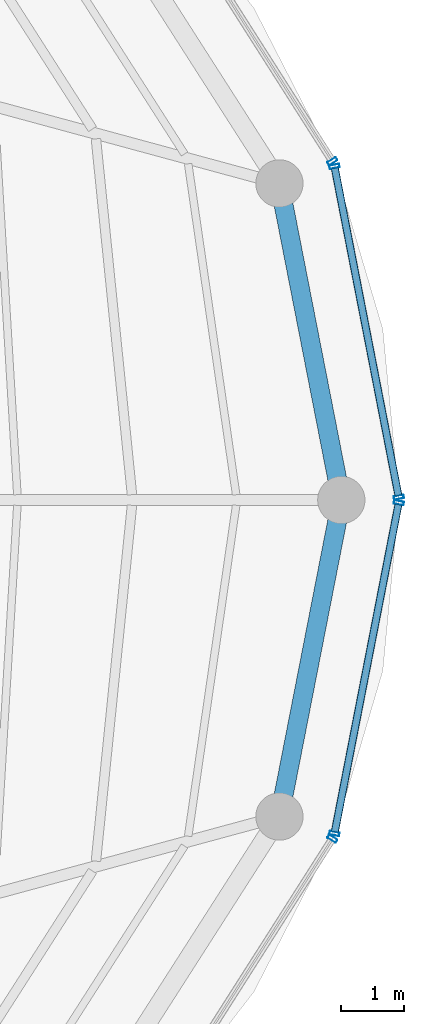
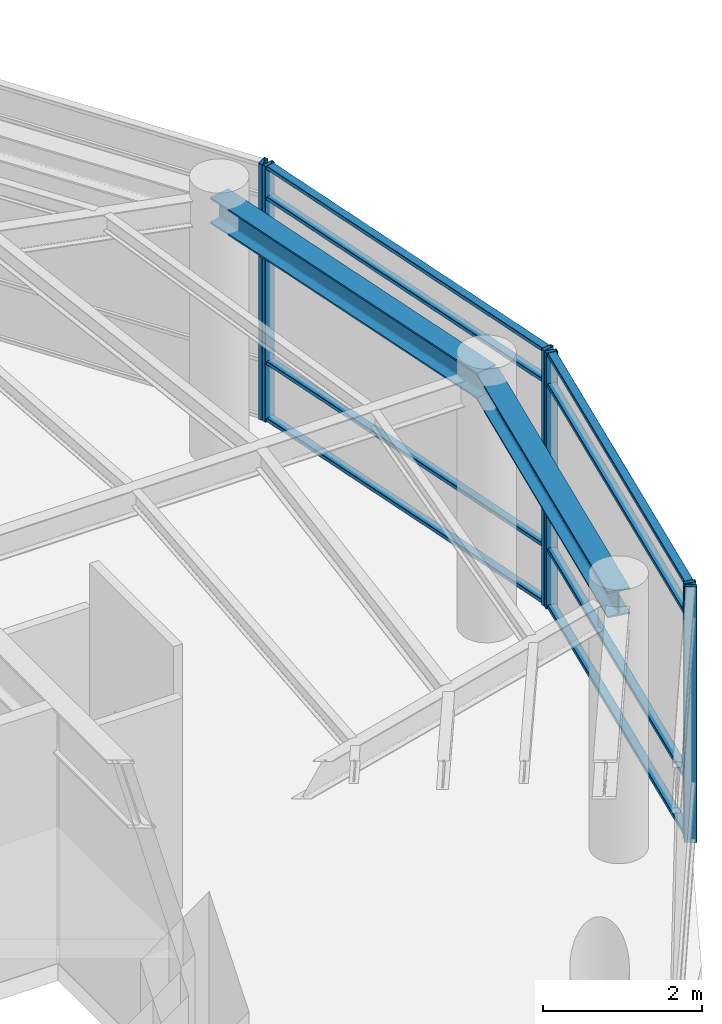
# One storey, part 15 of 19: 14 members, 2 beams, 4 elements without a shape of their own.
"""IFC4 building model written with IfcOpenShell, lengths in metres."""

from ifc_helpers import new_model, si_unit, direction, frame, origin, origin_2d, place, context, subcontext, project, spatial, hollow_rectangle, i_section, extrude, material, layer, layer_set, material_profile, profile_set, type_object, element, aggregate, save


model = new_model("IFC4")

# Units and contexts
model_context = context("Model", 3, precision=1e-05, world=origin(), true_north=direction((0.0, 1.0)))
body_context = subcontext(model_context, "Body", "Model", "MODEL_VIEW")
ifc_project = project(units=[si_unit("LENGTHUNIT", "METRE"), si_unit("AREAUNIT", "SQUARE_METRE"), si_unit("VOLUMEUNIT", "CUBIC_METRE"), si_unit("PLANEANGLEUNIT", "RADIAN"), si_unit("MASSUNIT", "GRAM", prefix="KILO")], contexts=[model_context])

# Site, building, storey
site_placement = place(None, origin())
site = spatial("IfcSite", under=ifc_project, at=site_placement, CompositionType="ELEMENT")
building_placement = place(site_placement, origin())
building = spatial("IfcBuilding", under=site, at=building_placement, Name="Kelanora Arch Commons", CompositionType="ELEMENT")
storey_placement = place(building_placement, frame((0.0, 0.0, 302.699951171875)))
storey = spatial("IfcBuildingStorey", under=building, at=storey_placement, Name="L77", CompositionType="ELEMENT", Elevation=302.699951171875)

# Beams
ifc_material_1 = material(Name="Steel S355", Category="steel")
ifc_material_profile_1 = material_profile(ifc_material_1, i_section(OverallWidth=0.300048828125, OverallDepth=0.39990234375, WebThickness=0.013427734375, FlangeThickness=0.02392578125, FilletRadius=0.027099609375, at=origin_2d()), Name="HEB400")
ifc_profile_set_1 = profile_set([ifc_material_profile_1], Name="Steel S355")
beam_type = type_object("IfcBeamType", Name="BM-SPN-Z4", PredefinedType="SPANDREL", material=ifc_profile_set_1)
for number, where, z_axis, x_axis, name in (
    (1, (90.280029296875, 58.0, 3.739990234375), (-0.191929675955, 0.981408681176, 0.0), (-0.981408681176, -0.191929675955, 0.0), "Perimeter Spandrel Beam BS-00 L77"),
    (2, (89.298095703125, 52.97900390625, 3.739990234375), (0.191929675955, 0.981408681176, 0.0), (-0.981408681176, 0.191929675955, 0.0), "Perimeter Spandrel Beam BS-34 L77"),
):
    element("IfcBeam", number, at=place(storey_placement, frame(where, z_axis=z_axis, x_axis=x_axis)), inside=storey, type_object=beam_type, Name=name, PredefinedType="SPANDREL", context=body_context, shape_type="SweptSolid", body=[
        extrude(i_section(OverallWidth=0.300048828125, OverallDepth=0.39990234375, WebThickness=0.013427734375, FlangeThickness=0.02392578125, FilletRadius=0.027099609375, at=origin_2d()), origin(), (0.0, 0.0, 1.0), 5.1162109375),
    ])

# Curtain wall, members
ifc_material_2 = material(Name="Terracotta ceramic-fritted low-E glass and aluminium", Category="masonry")
ifc_layer = layer(ifc_material_2, 0.14990234375)
ifc_layer_set = layer_set([ifc_layer], Name="Terracotta ceramic-fritted low-E glass and aluminium")
curtain_wall_type = type_object("IfcCurtainWallType", Name="CW-SYS-06", PredefinedType="NOTDEFINED", material=ifc_layer_set)
curtain_wall_1_placement = place(storey_placement, origin())
curtain_wall_1 = element("IfcCurtainWall", 3, at=curtain_wall_1_placement, inside=storey, type_object=curtain_wall_type, Name="Unitised Curtain Wall L77-B00", PredefinedType="NOTDEFINED")
ifc_material_3 = material(Name="Powder-coated aluminium terracotta", Category="masonry")
ifc_material_profile_2 = material_profile(ifc_material_3, hollow_rectangle(XDim=0.159912109375, YDim=0.06005859375, WallThickness=0.0048828125, InnerFilletRadius=0.0048828125, OuterFilletRadius=0.010009765625, at=origin_2d()), Name="CWM160x60")
ifc_profile_set_2 = profile_set([ifc_material_profile_2], Name="Powder-coated aluminium terracotta")
member_type_1 = type_object("IfcMemberType", Name="CWM-STD", PredefinedType="MULLION", material=ifc_profile_set_2)
member_1_placement = place(storey_placement, frame((91.19140625, 58.044189453125, 0.0), z_axis=(0.0, 0.0, 1.0), x_axis=(-0.981623765263, -0.190826579571, 0.0)))
member_1 = element("IfcMember", 4, at=member_1_placement, type_object=member_type_1, Name="CW-06 mullion 1", PredefinedType="MULLION", context=body_context, shape_type="SweptSolid", body=[
    extrude(hollow_rectangle(XDim=0.159912109375, YDim=0.06005859375, WallThickness=0.0048828125, InnerFilletRadius=0.0048828125, OuterFilletRadius=0.010009765625, at=origin_2d()), origin(), (0.0, 0.0, 1.0), 3.925048828125),
])
member_2_placement = place(storey_placement, frame((90.17138671875, 63.291259765625, 0.0), z_axis=(0.0, 0.0, 1.0), x_axis=(-0.981623765263, -0.190826579571, 0.0)))
member_2 = element("IfcMember", 5, at=member_2_placement, type_object=member_type_1, Name="CW-06 mullion 2", PredefinedType="MULLION", context=body_context, shape_type="SweptSolid", body=[
    extrude(hollow_rectangle(XDim=0.159912109375, YDim=0.06005859375, WallThickness=0.0048828125, InnerFilletRadius=0.0048828125, OuterFilletRadius=0.010009765625, at=origin_2d()), origin(), (0.0, 0.0, 1.0), 3.925048828125),
])

# Curtain wall, member
curtain_wall_2_placement = place(storey_placement, origin())
curtain_wall_2 = element("IfcCurtainWall", 6, at=curtain_wall_2_placement, inside=storey, type_object=curtain_wall_type, Name="Unitised Curtain Wall L77-B01", PredefinedType="NOTDEFINED")
member_3_placement = place(storey_placement, frame((90.138427734375, 63.37353515625, 0.0), z_axis=(0.0, 0.0, 1.0), x_axis=(-0.84359225554, -0.536984270154, 0.0)))
member_3 = element("IfcMember", 7, at=member_3_placement, type_object=member_type_1, Name="CW-06 mullion 1", PredefinedType="MULLION", context=body_context, shape_type="SweptSolid", body=[
    extrude(hollow_rectangle(XDim=0.159912109375, YDim=0.06005859375, WallThickness=0.0048828125, InnerFilletRadius=0.0048828125, OuterFilletRadius=0.010009765625, at=origin_2d()), origin(), (0.0, 0.0, 1.0), 3.925048828125),
])
aggregate(curtain_wall_2, [member_3])

curtain_wall_3_placement = place(storey_placement, origin())
curtain_wall_3 = element("IfcCurtainWall", 8, at=curtain_wall_3_placement, inside=storey, type_object=curtain_wall_type, Name="Unitised Curtain Wall L77-B16", PredefinedType="NOTDEFINED")
member_4_placement = place(storey_placement, frame((90.138427734375, 52.62646484375, 0.0), z_axis=(0.0, 0.0, 1.0), x_axis=(-0.84359225554, 0.536984270154, 0.0)))
member_4 = element("IfcMember", 9, at=member_4_placement, type_object=member_type_1, Name="CW-06 mullion 2", PredefinedType="MULLION", context=body_context, shape_type="SweptSolid", body=[
    extrude(hollow_rectangle(XDim=0.159912109375, YDim=0.06005859375, WallThickness=0.0048828125, InnerFilletRadius=0.0048828125, OuterFilletRadius=0.010009765625, at=origin_2d()), origin(), (0.0, 0.0, 1.0), 3.925048828125),
])
aggregate(curtain_wall_3, [member_4])

# Curtain wall, members
curtain_wall_4_placement = place(storey_placement, origin())
curtain_wall_4 = element("IfcCurtainWall", 10, at=curtain_wall_4_placement, inside=storey, type_object=curtain_wall_type, Name="Unitised Curtain Wall L77-B17", PredefinedType="NOTDEFINED")
member_5_placement = place(storey_placement, frame((90.17138671875, 52.708740234375, 0.0), z_axis=(0.0, 0.0, 1.0), x_axis=(-0.981623765263, 0.190826579571, 0.0)))
member_5 = element("IfcMember", 11, at=member_5_placement, type_object=member_type_1, Name="CW-06 mullion 1", PredefinedType="MULLION", context=body_context, shape_type="SweptSolid", body=[
    extrude(hollow_rectangle(XDim=0.159912109375, YDim=0.06005859375, WallThickness=0.0048828125, InnerFilletRadius=0.0048828125, OuterFilletRadius=0.010009765625, at=origin_2d()), origin(), (0.0, 0.0, 1.0), 3.925048828125),
])
member_6_placement = place(storey_placement, frame((91.19140625, 57.955810546875, 0.0), z_axis=(0.0, 0.0, 1.0), x_axis=(-0.981623765263, 0.190826579571, 0.0)))
member_6 = element("IfcMember", 12, at=member_6_placement, type_object=member_type_1, Name="CW-06 mullion 2", PredefinedType="MULLION", context=body_context, shape_type="SweptSolid", body=[
    extrude(hollow_rectangle(XDim=0.159912109375, YDim=0.06005859375, WallThickness=0.0048828125, InnerFilletRadius=0.0048828125, OuterFilletRadius=0.010009765625, at=origin_2d()), origin(), (0.0, 0.0, 1.0), 3.925048828125),
])

# Member
ifc_material_profile_3 = material_profile(ifc_material_3, hollow_rectangle(XDim=0.1201171875, YDim=0.06005859375, WallThickness=0.0048828125, InnerFilletRadius=0.0048828125, OuterFilletRadius=0.010009765625, at=origin_2d()), Name="CWT120x60")
ifc_profile_set_3 = profile_set([ifc_material_profile_3], Name="Powder-coated aluminium terracotta")
member_type_2 = type_object("IfcMemberType", Name="CWT-STD", PredefinedType="USERDEFINED", material=ifc_profile_set_3)
member_7_placement = place(storey_placement, frame((91.185546875, 58.073486328125, 0.030029296875), z_axis=(-0.190810315943, 0.981626926755, 0.0), x_axis=(-0.981626926755, -0.190810315943, 0.0)))
member_7 = element("IfcMember", 13, at=member_7_placement, type_object=member_type_2, Name="CW-06 transom 1.1", ObjectType="TRANSOM", PredefinedType="USERDEFINED", context=body_context, shape_type="SweptSolid", body=[
    extrude(hollow_rectangle(XDim=0.1201171875, YDim=0.06005859375, WallThickness=0.0048828125, InnerFilletRadius=0.0048828125, OuterFilletRadius=0.010009765625, at=origin_2d()), origin(), (0.0, 0.0, 1.0), 5.28564453125),
])

member_8_placement = place(storey_placement, frame((91.185546875, 58.073486328125, 0.900146484375), z_axis=(-0.190810315943, 0.981626926755, 0.0), x_axis=(-0.981626926755, -0.190810315943, 0.0)))
member_8 = element("IfcMember", 14, at=member_8_placement, type_object=member_type_2, Name="CW-06 transom 1.2", ObjectType="TRANSOM", PredefinedType="USERDEFINED", context=body_context, shape_type="SweptSolid", body=[
    extrude(hollow_rectangle(XDim=0.1201171875, YDim=0.06005859375, WallThickness=0.0048828125, InnerFilletRadius=0.0048828125, OuterFilletRadius=0.010009765625, at=origin_2d()), origin(), (0.0, 0.0, 1.0), 5.28564453125),
])

member_9_placement = place(storey_placement, frame((91.185546875, 58.073486328125, 3.425048828125), z_axis=(-0.190810315943, 0.981626926755, 0.0), x_axis=(-0.981626926755, -0.190810315943, 0.0)))
member_9 = element("IfcMember", 15, at=member_9_placement, type_object=member_type_2, Name="CW-06 transom 1.3", ObjectType="TRANSOM", PredefinedType="USERDEFINED", context=body_context, shape_type="SweptSolid", body=[
    extrude(hollow_rectangle(XDim=0.1201171875, YDim=0.06005859375, WallThickness=0.0048828125, InnerFilletRadius=0.0048828125, OuterFilletRadius=0.010009765625, at=origin_2d()), origin(), (0.0, 0.0, 1.0), 5.28564453125),
])

member_10_placement = place(storey_placement, frame((91.185546875, 58.073486328125, 3.89501953125), z_axis=(-0.190810315943, 0.981626926755, 0.0), x_axis=(-0.981626926755, -0.190810315943, 0.0)))
member_10 = element("IfcMember", 16, at=member_10_placement, type_object=member_type_2, Name="CW-06 transom 1.4", ObjectType="TRANSOM", PredefinedType="USERDEFINED", context=body_context, shape_type="SweptSolid", body=[
    extrude(hollow_rectangle(XDim=0.1201171875, YDim=0.06005859375, WallThickness=0.0048828125, InnerFilletRadius=0.0048828125, OuterFilletRadius=0.010009765625, at=origin_2d()), origin(), (0.0, 0.0, 1.0), 5.28564453125),
])

aggregate(curtain_wall_1, [member_1, member_2, member_7, member_8, member_9, member_10])

member_11_placement = place(storey_placement, frame((90.177001953125, 52.738037109375, 0.030029296875), z_axis=(0.190810315943, 0.981626926755, 0.0), x_axis=(-0.981626926755, 0.190810315943, 0.0)))
member_11 = element("IfcMember", 17, at=member_11_placement, type_object=member_type_2, Name="CW-06 transom 1.1", ObjectType="TRANSOM", PredefinedType="USERDEFINED", context=body_context, shape_type="SweptSolid", body=[
    extrude(hollow_rectangle(XDim=0.1201171875, YDim=0.06005859375, WallThickness=0.0048828125, InnerFilletRadius=0.0048828125, OuterFilletRadius=0.010009765625, at=origin_2d()), origin(), (0.0, 0.0, 1.0), 5.28564453125),
])

member_12_placement = place(storey_placement, frame((90.177001953125, 52.738037109375, 0.900146484375), z_axis=(0.190810315943, 0.981626926755, 0.0), x_axis=(-0.981626926755, 0.190810315943, 0.0)))
member_12 = element("IfcMember", 18, at=member_12_placement, type_object=member_type_2, Name="CW-06 transom 1.2", ObjectType="TRANSOM", PredefinedType="USERDEFINED", context=body_context, shape_type="SweptSolid", body=[
    extrude(hollow_rectangle(XDim=0.1201171875, YDim=0.06005859375, WallThickness=0.0048828125, InnerFilletRadius=0.0048828125, OuterFilletRadius=0.010009765625, at=origin_2d()), origin(), (0.0, 0.0, 1.0), 5.28564453125),
])

member_13_placement = place(storey_placement, frame((90.177001953125, 52.738037109375, 3.425048828125), z_axis=(0.190810315943, 0.981626926755, 0.0), x_axis=(-0.981626926755, 0.190810315943, 0.0)))
member_13 = element("IfcMember", 19, at=member_13_placement, type_object=member_type_2, Name="CW-06 transom 1.3", ObjectType="TRANSOM", PredefinedType="USERDEFINED", context=body_context, shape_type="SweptSolid", body=[
    extrude(hollow_rectangle(XDim=0.1201171875, YDim=0.06005859375, WallThickness=0.0048828125, InnerFilletRadius=0.0048828125, OuterFilletRadius=0.010009765625, at=origin_2d()), origin(), (0.0, 0.0, 1.0), 5.28564453125),
])

member_14_placement = place(storey_placement, frame((90.177001953125, 52.738037109375, 3.89501953125), z_axis=(0.190810315943, 0.981626926755, 0.0), x_axis=(-0.981626926755, 0.190810315943, 0.0)))
member_14 = element("IfcMember", 20, at=member_14_placement, type_object=member_type_2, Name="CW-06 transom 1.4", ObjectType="TRANSOM", PredefinedType="USERDEFINED", context=body_context, shape_type="SweptSolid", body=[
    extrude(hollow_rectangle(XDim=0.1201171875, YDim=0.06005859375, WallThickness=0.0048828125, InnerFilletRadius=0.0048828125, OuterFilletRadius=0.010009765625, at=origin_2d()), origin(), (0.0, 0.0, 1.0), 5.28564453125),
])

aggregate(curtain_wall_4, [member_5, member_6, member_11, member_12, member_13, member_14])

save(model, "model.ifc")
